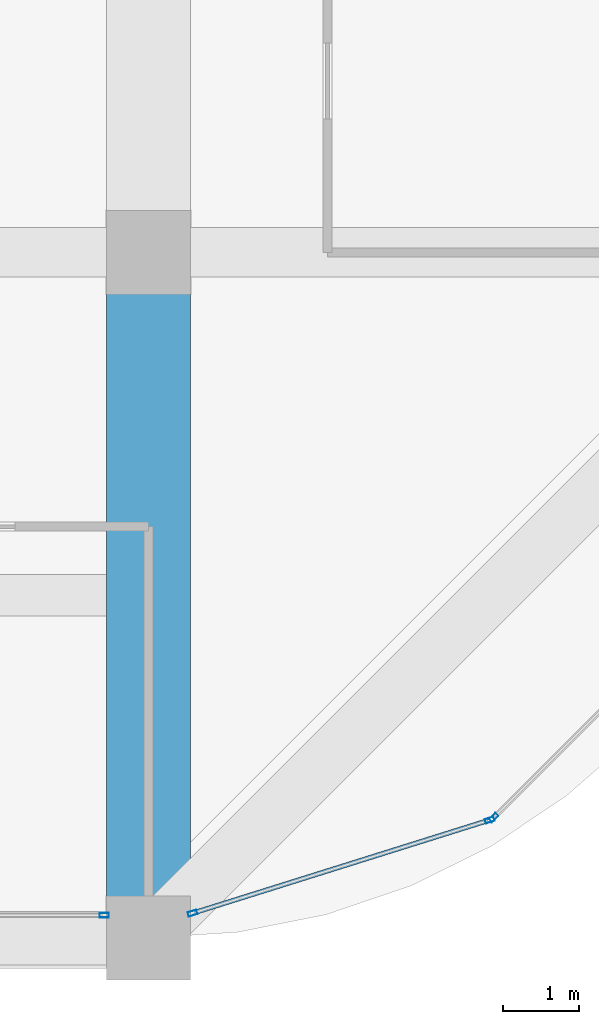
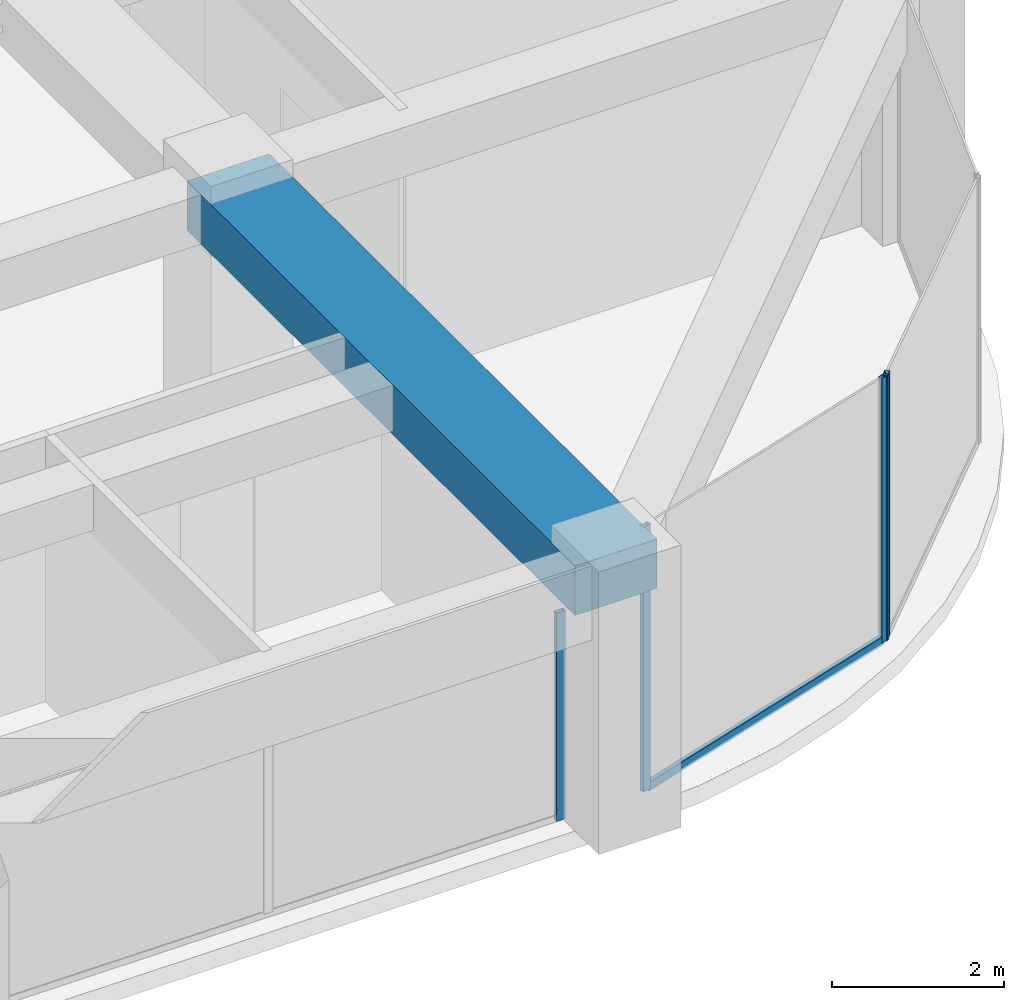
# One storey, part 18 of 44: 5 members, 1 beam, 3 elements without a shape of their own.
"""IFC4 building model written with IfcOpenShell, lengths in metres."""

import ifcopenshell
import ifcopenshell.guid

model = None  # the IFC model being written
_history = None  # IfcOwnerHistory: only IFC2X3 demands one
_inside = {}  # id of a spatial element -> (the spatial element, [elements in it])
_under = {}  # id of a project, library or spatial element -> (it, [spatial elements below it])
_declared = {}  # id of a project -> (the project, [libraries it declares])
_typed = {}  # id of a type object -> (the type object, [elements of that type])
_made_of = {}  # id of a material, layer set ... -> (it, [elements and type objects made of it])


def new_model(schema):
    """Start an empty IFC model of exactly this schema.

    Asked for "IFC4X3", IfcOpenShell would pick the latest addendum, in which some entities
    have other attributes; the version numbers below select the first issue.
    IFC2X3 requires an IfcOwnerHistory on every rooted entity: one is made here for all.
    """
    global model, _history
    if schema == "IFC4X3":
        model = ifcopenshell.file(schema_version=(4, 3, 0, 0))
    else:
        model = ifcopenshell.file(schema=schema)
    _inside.clear()
    _under.clear()
    _declared.clear()
    _typed.clear()
    _made_of.clear()
    _history = None
    if model.schema == "IFC2X3":
        org = make("IfcOrganization", Name="unknown")
        user = make(
            "IfcPersonAndOrganization",
            ThePerson=make("IfcPerson", FamilyName="unknown"),
            TheOrganization=org,
        )
        app = make(
            "IfcApplication",
            ApplicationDeveloper=org,
            Version="unknown",
            ApplicationFullName="unknown",
            ApplicationIdentifier="unknown",
        )
        _history = make(
            "IfcOwnerHistory",
            OwningUser=user,
            OwningApplication=app,
            ChangeAction="ADDED",
            CreationDate=0,
        )
    return model


def make(cls, **values):
    """One entity of the class cls with the attributes given. An attribute that is None is left unset."""
    return model.create_entity(
        cls, **{name: value for name, value in values.items() if value is not None}
    )


def rooted(cls, **values):
    """An entity with a GlobalId (a new one), such as an element, a storey or a relation."""
    return make(cls, GlobalId=ifcopenshell.guid.new(), OwnerHistory=_history, **values)


def si_unit(unit_type, name, prefix=None):
    """IfcSIUnit, for example si_unit("LENGTHUNIT", "METRE", prefix="MILLI")."""
    return make("IfcSIUnit", UnitType=unit_type, Prefix=prefix, Name=name)


def assignment(units):
    """IfcUnitAssignment: the units of a project."""
    return None if units is None else make("IfcUnitAssignment", Units=units)


def point(xyz):
    """IfcCartesianPoint."""
    return None if xyz is None else make("IfcCartesianPoint", Coordinates=xyz)


def direction(xyz):
    """IfcDirection."""
    return None if xyz is None else make("IfcDirection", DirectionRatios=xyz)


def frame(location, z_axis=None, x_axis=None):
    """IfcAxis2Placement3D, a coordinate frame: its origin and axes. An axis left out is left unset."""
    return make(
        "IfcAxis2Placement3D",
        Location=point(location),
        Axis=direction(z_axis),
        RefDirection=direction(x_axis),
    )


def frame_2d(location, x_axis=None):
    """IfcAxis2Placement2D, a coordinate frame in the plane: its origin and x axis."""
    return make(
        "IfcAxis2Placement2D", Location=point(location), RefDirection=direction(x_axis)
    )


def origin():
    """The frame at (0, 0, 0) with its axes left unset."""
    return frame((0.0, 0.0, 0.0))


def origin_2d():
    """The frame at (0, 0) in the plane with its x axis left unset."""
    return frame_2d((0.0, 0.0))


def place(relative_to, where):
    """IfcLocalPlacement: puts the frame where relative to a parent placement (None: the world)."""
    return make(
        "IfcLocalPlacement", PlacementRelTo=relative_to, RelativePlacement=where
    )


def context(
    kind, dimensions, precision=None, world=None, true_north=None, identifier=None
):
    """IfcGeometricRepresentationContext, for example the 3D "Model" context."""
    return make(
        "IfcGeometricRepresentationContext",
        ContextIdentifier=identifier,
        ContextType=kind,
        CoordinateSpaceDimension=dimensions,
        Precision=precision,
        WorldCoordinateSystem=world,
        TrueNorth=true_north,
    )


def subcontext(parent, identifier, kind, view, scale=None):
    """IfcGeometricRepresentationSubContext, for example "Body" below "Model"."""
    return make(
        "IfcGeometricRepresentationSubContext",
        ContextIdentifier=identifier,
        ContextType=kind,
        ParentContext=parent,
        TargetScale=scale,
        TargetView=view,
    )


def project(units=None, contexts=None):
    """IfcProject with its units and contexts."""
    return rooted(
        "IfcProject",
        Name="project",
        RepresentationContexts=contexts,
        UnitsInContext=assignment(units),
    )


def spatial(cls, under=None, at=None, **own):
    """A site, building, storey or space (cls), placed at a placement, below another one or the project."""
    s = rooted(cls, ObjectPlacement=at, **own)
    if under is not None:
        _under.setdefault(under.id(), (under, []))[1].append(s)
    return s


def profile(cls, at=None, kind="AREA", **sizes):
    """A parametric profile (cls). Its sizes go by their IFC names, for example OverallWidth=200.0."""
    return make(cls, ProfileType=kind, Position=at, **sizes)


def rectangle(**sizes):
    """IfcRectangleProfileDef."""
    return profile("IfcRectangleProfileDef", **sizes)


def hollow_rectangle(**sizes):
    """IfcRectangleHollowProfileDef."""
    return profile("IfcRectangleHollowProfileDef", **sizes)


def extrude(swept, where, along, depth):
    """IfcExtrudedAreaSolid: the profile swept, set in the frame where, extruded along a direction by depth."""
    return make(
        "IfcExtrudedAreaSolid",
        SweptArea=swept,
        Position=where,
        ExtrudedDirection=direction(along),
        Depth=depth,
    )


def shape(context_of_items, identifier, shape_type, items):
    """IfcShapeRepresentation: the items that make up one representation, for example the "Body"."""
    return make(
        "IfcShapeRepresentation",
        ContextOfItems=context_of_items,
        RepresentationIdentifier=identifier,
        RepresentationType=shape_type,
        Items=items,
    )


def material(Name=None, Category=None):
    """IfcMaterial."""
    return make("IfcMaterial", Name=Name, Category=Category)


def material_profile(
    of_material, cross_section, Name=None, Category=None, Priority=None
):
    """IfcMaterialProfile: a cross section and its material."""
    return make(
        "IfcMaterialProfile",
        Name=Name,
        Material=of_material,
        Profile=cross_section,
        Priority=Priority,
        Category=Category,
    )


def profile_set(profiles, Name=None, composite=None):
    """IfcMaterialProfileSet."""
    return make(
        "IfcMaterialProfileSet",
        Name=Name,
        MaterialProfiles=profiles,
        CompositeProfile=composite,
    )


def made_of(thing, what):
    """Note that an element or type object is made of a material, layer set ...; save() writes the relation."""
    if what is not None:
        _made_of.setdefault(what.id(), (what, []))[1].append(thing)
    return thing


def type_object(cls, material=None, **own):
    """A type object (cls), such as IfcWallType, which elements share."""
    return made_of(rooted(cls, **own), material)


def element(
    cls,
    number,
    at=None,
    inside=None,
    cuts=None,
    type_object=None,
    material=None,
    context=None,
    identifier="Body",
    shape_type=None,
    held_by="IfcProductDefinitionShape",
    body=None,
    shapes=None,
    **own,
):
    """One element of the class cls, such as IfcWall. Its Tag is "e" and its number.

    at: its placement. inside: the storey or other place that contains it. cuts: it is an
    opening in that element (IfcRelVoidsElement). A single representation is given by context,
    identifier, shape_type and body (its items); several are given by shapes. held_by: the class
    of the entity that holds the representations. save() writes the other relations.
    """
    e = rooted(cls, Tag="e%d" % number, ObjectPlacement=at, **own)
    if body is not None:
        shapes = [shape(context, identifier, shape_type, body)]
    if shapes is not None:
        e.Representation = make(held_by, Representations=shapes)
    if inside is not None:
        _inside.setdefault(inside.id(), (inside, []))[1].append(e)
    if cuts is not None:
        rooted(
            "IfcRelVoidsElement", RelatingBuildingElement=cuts, RelatedOpeningElement=e
        )
    if type_object is not None:
        _typed.setdefault(type_object.id(), (type_object, []))[1].append(e)
    return made_of(e, material)


def aggregate(whole, parts):
    """IfcRelAggregates: a whole, such as a stair, and the parts it consists of."""
    return rooted("IfcRelAggregates", RelatingObject=whole, RelatedObjects=parts)


def save(model, path):
    """Write the relations noted so far, then the file.

    IfcRelAggregates (storeys below a building ...), IfcRelContainedInSpatialStructure (elements
    in a storey), IfcRelDefinesByType, IfcRelAssociatesMaterial and IfcRelDeclares: one each for
    every whole, place, type object, material and project.
    """
    for whole, parts in _under.values():
        aggregate(whole, parts)
    for where, things in _inside.values():
        rooted(
            "IfcRelContainedInSpatialStructure",
            RelatedElements=things,
            RelatingStructure=where,
        )
    for kind, things in _typed.values():
        rooted("IfcRelDefinesByType", RelatedObjects=things, RelatingType=kind)
    for what, things in _made_of.values():
        rooted("IfcRelAssociatesMaterial", RelatedObjects=things, RelatingMaterial=what)
    for by, libraries in _declared.values():
        rooted("IfcRelDeclares", RelatingContext=by, RelatedDefinitions=libraries)
    model.write(path)


model = new_model("IFC4")

# Units and contexts
model_context = context("Model", 3, precision=1e-05, world=origin(), true_north=direction((0.0, 1.0)))
body_context = subcontext(model_context, "Body", "Model", "MODEL_VIEW")
ifc_project = project(units=[si_unit("LENGTHUNIT", "METRE"), si_unit("AREAUNIT", "SQUARE_METRE"), si_unit("VOLUMEUNIT", "CUBIC_METRE"), si_unit("PLANEANGLEUNIT", "RADIAN"), si_unit("MASSUNIT", "GRAM", prefix="KILO")], contexts=[model_context])

# Site, building, storey
site_placement = place(None, origin())
site = spatial("IfcSite", under=ifc_project, at=site_placement, CompositionType="ELEMENT")
building_placement = place(site_placement, origin())
building = spatial("IfcBuilding", under=site, at=building_placement, Name="Zorevar Civic Tower", CompositionType="ELEMENT")
storey_placement = place(building_placement, frame((0.0, 0.0, 259.39990234375)))
storey = spatial("IfcBuildingStorey", under=building, at=storey_placement, Name="L63", CompositionType="ELEMENT", Elevation=259.39990234375)

# Beam
ifc_material_1 = material(Name="Concrete C50/60", Category="concrete")
ifc_material_profile_1 = material_profile(ifc_material_1, rectangle(XDim=1.10009765625, YDim=0.699951171875, at=origin_2d()), Name="RC 1100x700")
ifc_profile_set_1 = profile_set([ifc_material_profile_1], Name="Concrete C50/60")
beam_type = type_object("IfcBeamType", Name="Beam RC 1100x700", PredefinedType="BEAM", material=ifc_profile_set_1)
beam_placement = place(storey_placement, frame((45.0, 0.0, 3.400146484375), z_axis=(0.0, 1.0, 0.0), x_axis=(-1.0, 0.0, 0.0)))
element("IfcBeam", 1, at=beam_placement, inside=storey, type_object=beam_type, Name="Girder L64", PredefinedType="BEAM", context=body_context, shape_type="SweptSolid", body=[
    extrude(rectangle(XDim=1.10009765625, YDim=0.699951171875, at=origin_2d()), origin(), (0.0, 0.0, 1.0), 9.0),
])

# Curtain wall, member
ifc_material_2 = material(Name="Dark grey solar-control glass in black aluminium frame", Category="aluminium")
curtain_wall_type = type_object("IfcCurtainWallType", Name="Curtain wall CW5 top zone", PredefinedType="NOTDEFINED", material=ifc_material_2)
curtain_wall_1_placement = place(storey_placement, origin())
curtain_wall_1 = element("IfcCurtainWall", 2, at=curtain_wall_1_placement, inside=storey, type_object=curtain_wall_type, Name="CW5 L63", PredefinedType="NOTDEFINED")
ifc_material_3 = material(Name="Aluminium, black anodised", Category="aluminium")
ifc_material_profile_2 = material_profile(ifc_material_3, hollow_rectangle(XDim=0.06005859375, YDim=0.1201171875, WallThickness=0.0029296875, at=origin_2d()), Name="AL 120x60x3")
ifc_profile_set_2 = profile_set([ifc_material_profile_2], Name="Aluminium, black anodised")
member_type_1 = type_object("IfcMemberType", Name="CW5 mullion AL 120x60x3", PredefinedType="MULLION", material=ifc_profile_set_2)
member_1_placement = place(storey_placement, frame((44.419921875, 0.300048828125, 0.0), z_axis=(0.0, 0.0, 1.0), x_axis=(0.0, 1.0, 0.0)))
member_1 = element("IfcMember", 3, at=member_1_placement, type_object=member_type_1, Name="CW5 mullion 3", PredefinedType="MULLION", context=body_context, shape_type="SweptSolid", body=[
    extrude(hollow_rectangle(XDim=0.06005859375, YDim=0.1201171875, WallThickness=0.0029296875, at=origin_2d()), origin(), (0.0, 0.0, 1.0), 2.9501953125),
])
aggregate(curtain_wall_1, [member_1])

# Curtain wall, members
curtain_wall_2_placement = place(storey_placement, origin())
curtain_wall_2 = element("IfcCurtainWall", 4, at=curtain_wall_2_placement, inside=storey, type_object=curtain_wall_type, Name="CW5 L63", PredefinedType="NOTDEFINED")
member_2_placement = place(storey_placement, frame((45.57861328125, 0.326416015625, 0.0), z_axis=(0.0, 0.0, 1.0), x_axis=(-0.299317920238, 0.954153437674, 0.0)))
member_2 = element("IfcMember", 5, at=member_2_placement, type_object=member_type_1, Name="CW5 mullion 1", PredefinedType="MULLION", context=body_context, shape_type="SweptSolid", body=[
    extrude(hollow_rectangle(XDim=0.06005859375, YDim=0.1201171875, WallThickness=0.0029296875, at=origin_2d()), origin(), (0.0, 0.0, 1.0), 3.75),
])
member_3_placement = place(storey_placement, frame((49.479248046875, 1.550048828125, 0.0), z_axis=(0.0, 0.0, 1.0), x_axis=(-0.299317920238, 0.954153437674, 0.0)))
member_3 = element("IfcMember", 6, at=member_3_placement, type_object=member_type_1, Name="CW5 mullion 2", PredefinedType="MULLION", context=body_context, shape_type="SweptSolid", body=[
    extrude(hollow_rectangle(XDim=0.06005859375, YDim=0.1201171875, WallThickness=0.0029296875, at=origin_2d()), origin(), (0.0, 0.0, 1.0), 3.75),
])

# Curtain wall, member
curtain_wall_3_placement = place(storey_placement, origin())
curtain_wall_3 = element("IfcCurtainWall", 7, at=curtain_wall_3_placement, inside=storey, type_object=curtain_wall_type, Name="CW5 L63", PredefinedType="NOTDEFINED")
member_4_placement = place(storey_placement, frame((49.529052734375, 1.580322265625, 0.0), z_axis=(0.0, 0.0, 1.0), x_axis=(-0.707106781187, 0.707106781187, 0.0)))
member_4 = element("IfcMember", 8, at=member_4_placement, type_object=member_type_1, Name="CW5 mullion 1", PredefinedType="MULLION", context=body_context, shape_type="SweptSolid", body=[
    extrude(hollow_rectangle(XDim=0.06005859375, YDim=0.1201171875, WallThickness=0.0029296875, at=origin_2d()), origin(), (0.0, 0.0, 1.0), 3.75),
])
aggregate(curtain_wall_3, [member_4])

# Member
ifc_material_4 = material(Name="Aluminium, black anodised", Category="aluminium")
ifc_material_profile_3 = material_profile(ifc_material_4, hollow_rectangle(XDim=0.06005859375, YDim=0.1201171875, WallThickness=0.0029296875, at=origin_2d()), Name="AL 120x60x3")
ifc_profile_set_3 = profile_set([ifc_material_profile_3], Name="Aluminium, black anodised")
member_type_2 = type_object("IfcMemberType", Name="CW5 transom AL 120x60x3", PredefinedType="USERDEFINED", material=ifc_profile_set_3)
member_5_placement = place(storey_placement, frame((45.607177734375, 0.33544921875, 0.030029296875), z_axis=(0.954163457351, 0.299285978047, 0.0), x_axis=(-0.299285978047, 0.954163457351, 0.0)))
member_5 = element("IfcMember", 9, at=member_5_placement, type_object=member_type_2, Name="CW5 sill transom", ObjectType="TRANSOM", PredefinedType="USERDEFINED", context=body_context, shape_type="SweptSolid", body=[
    extrude(hollow_rectangle(XDim=0.06005859375, YDim=0.1201171875, WallThickness=0.0029296875, at=origin_2d()), origin(), (0.0, 0.0, 1.0), 4.028076171875),
])

aggregate(curtain_wall_2, [member_2, member_3, member_5])

save(model, "model.ifc")
